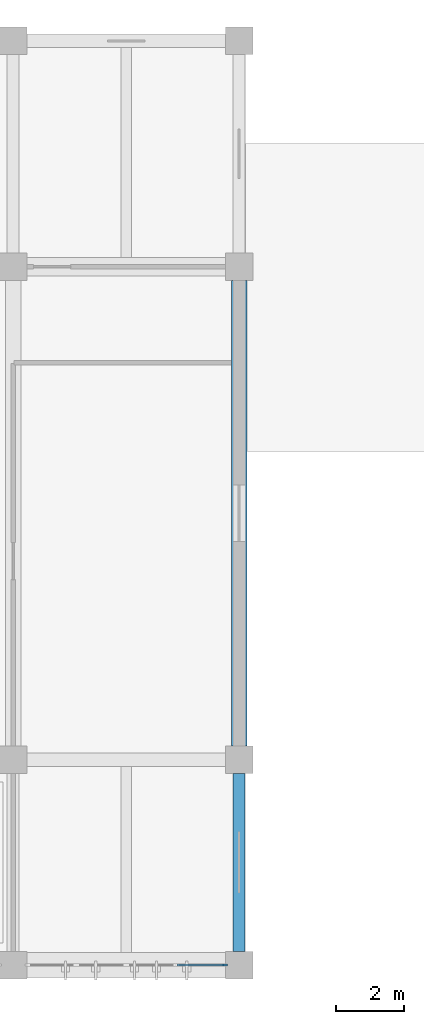
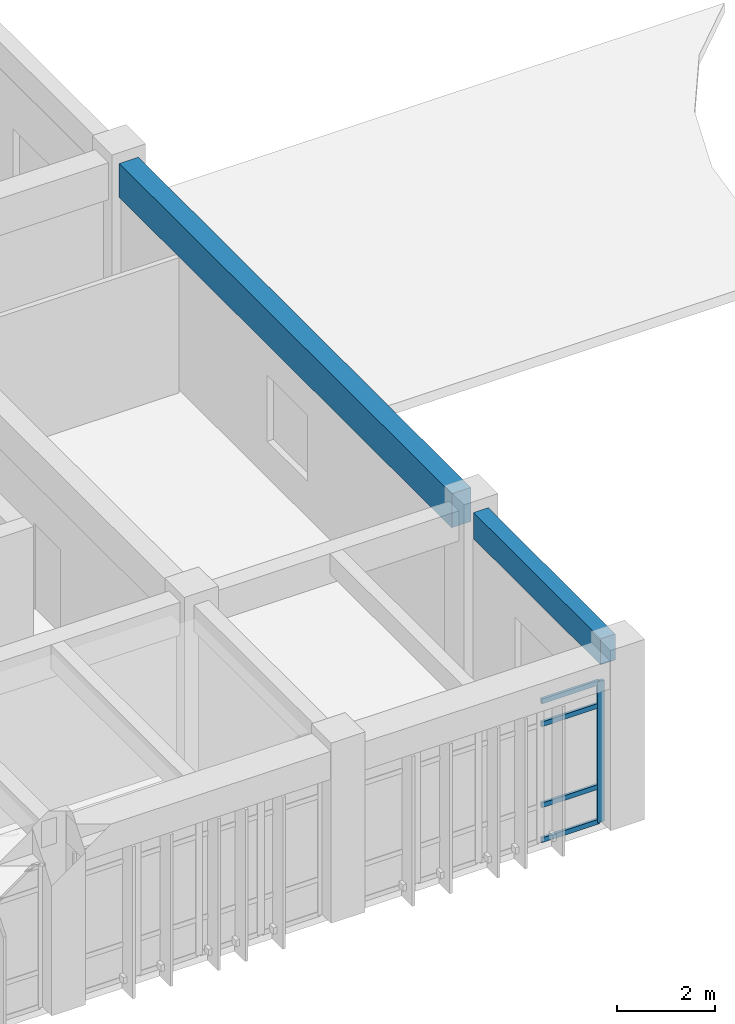
# One storey, part 7 of 34: 5 members, 2 beams, 1 element without a shape of its own.
"""IFC4 building model written with IfcOpenShell, lengths in metres."""

from ifc_helpers import new_model, si_unit, direction, frame, origin, origin_2d, place, context, subcontext, project, spatial, rectangle, extrude, material, layer, layer_set, material_profile, profile_set, type_object, element, aggregate, save


model = new_model("IFC4")

# Units and contexts
model_context = context("Model", 3, precision=1e-05, world=origin(), true_north=direction((0.0, 1.0)))
body_context = subcontext(model_context, "Body", "Model", "MODEL_VIEW")
ifc_project = project(units=[si_unit("LENGTHUNIT", "METRE"), si_unit("AREAUNIT", "SQUARE_METRE"), si_unit("VOLUMEUNIT", "CUBIC_METRE"), si_unit("PLANEANGLEUNIT", "RADIAN"), si_unit("MASSUNIT", "GRAM", prefix="KILO")], contexts=[model_context])

# Site, building, storey
site_placement = place(None, origin())
site = spatial("IfcSite", under=ifc_project, at=site_placement, CompositionType="ELEMENT")
building_placement = place(site_placement, origin())
building = spatial("IfcBuilding", under=site, at=building_placement, Name="Miralva Faculty of Natural Sciences", CompositionType="ELEMENT")
storey_placement = place(building_placement, frame((0.0, 0.0, 24.0)))
storey = spatial("IfcBuildingStorey", under=building, at=storey_placement, Name="L05", CompositionType="ELEMENT", Elevation=24.0)

# Beams
ifc_material_1 = material(Name="Concrete C40/50", Category="concrete")
ifc_material_profile_1 = material_profile(ifc_material_1, rectangle(XDim=0.449951171875, YDim=0.85009765625, at=origin_2d()), Name="RC 450x850")
ifc_profile_set_1 = profile_set([ifc_material_profile_1], Name="Concrete C40/50")
beam_type_1 = type_object("IfcBeamType", Name="BM-B01", PredefinedType="BEAM", material=ifc_profile_set_1)
beam_1_placement = place(storey_placement, frame((36.0, 9.39990234375, 3.804931640625), z_axis=(0.0, 1.0, 0.0), x_axis=(-1.0, 0.0, 0.0)))
element("IfcBeam", 1, at=beam_1_placement, inside=storey, type_object=beam_type_1, Name="Girder NS L05-62", PredefinedType="BEAM", context=body_context, shape_type="SweptSolid", body=[
    extrude(rectangle(XDim=0.449951171875, YDim=0.85009765625, at=origin_2d()), origin(), (0.0, 0.0, 1.0), 13.60009765625),
])
ifc_material_profile_2 = material_profile(ifc_material_1, rectangle(XDim=0.35009765625, YDim=0.64990234375, at=origin_2d()), Name="RC 350x650")
ifc_profile_set_2 = profile_set([ifc_material_profile_2], Name="Concrete C40/50")
beam_type_2 = type_object("IfcBeamType", Name="BM-B05", PredefinedType="BEAM", material=ifc_profile_set_2)
beam_2_placement = place(storey_placement, frame((36.0, 3.39990234375, 3.905029296875), z_axis=(0.0, 1.0, 0.0), x_axis=(-1.0, 0.0, 0.0)))
element("IfcBeam", 2, at=beam_2_placement, inside=storey, type_object=beam_type_2, Name="Girder NS L05-61", PredefinedType="BEAM", context=body_context, shape_type="SweptSolid", body=[
    extrude(rectangle(XDim=0.35009765625, YDim=0.64990234375, at=origin_2d()), origin(), (0.0, 0.0, 1.0), 5.2001953125),
])

# Curtain wall, members
ifc_material_2 = material(Name="Laminated solar-control glass", Category="glass")
ifc_layer = layer(ifc_material_2, 0.179931640625, Name="CW-TWR-L03")
ifc_layer_set = layer_set([ifc_layer], Name="Laminated solar-control glass")
curtain_wall_type = type_object("IfcCurtainWallType", Name="CW-TWR-L03", PredefinedType="USERDEFINED", material=ifc_layer_set)
curtain_wall_placement = place(storey_placement, origin())
curtain_wall = element("IfcCurtainWall", 3, at=curtain_wall_placement, inside=storey, type_object=curtain_wall_type, Name="Curtain wall CW-14 L05-237", ObjectType="UNITISED CURTAIN WALL", PredefinedType="USERDEFINED")
ifc_material_3 = material(Name="Anodised aluminium", Category="aluminium")
ifc_material_profile_3 = material_profile(ifc_material_3, rectangle(XDim=0.06494140625, YDim=0.159912109375, at=origin_2d()), Name="MULLION 65x160")
ifc_profile_set_3 = profile_set([ifc_material_profile_3], Name="Anodised aluminium")
member_type_1 = type_object("IfcMemberType", Name="CW-M02", PredefinedType="MULLION", material=ifc_profile_set_3)
member_1_placement = place(storey_placement, frame((35.58251953125, 3.0, 0.0), z_axis=(0.0, 0.0, 1.0), x_axis=(0.0, 1.0, 0.0)))
member_1 = element("IfcMember", 4, at=member_1_placement, type_object=member_type_1, Name="CW-14 mullion 5", PredefinedType="MULLION", context=body_context, shape_type="SweptSolid", body=[
    extrude(rectangle(XDim=0.06494140625, YDim=0.159912109375, at=origin_2d()), origin(), (0.0, 0.0, 1.0), 3.52490234375),
])
ifc_material_profile_4 = material_profile(ifc_material_3, rectangle(XDim=0.06005859375, YDim=0.1201171875, at=origin_2d()), Name="TRANSOM 60x120")
ifc_profile_set_4 = profile_set([ifc_material_profile_4], Name="Anodised aluminium")
member_type_2 = type_object("IfcMemberType", Name="CW-T02", PredefinedType="USERDEFINED", material=ifc_profile_set_4)
member_2_placement = place(storey_placement, frame((34.18994140625, 3.0, 0.030029296875), z_axis=(1.0, 0.0, 0.0), x_axis=(0.0, 1.0, 0.0)))
member_2 = element("IfcMember", 5, at=member_2_placement, type_object=member_type_2, Name="CW-14 transom 4.1", ObjectType="TRANSOM", PredefinedType="USERDEFINED", context=body_context, shape_type="SweptSolid", body=[
    extrude(rectangle(XDim=0.06005859375, YDim=0.1201171875, at=origin_2d()), origin(), (0.0, 0.0, 1.0), 1.360107421875),
])
member_3_placement = place(storey_placement, frame((34.18994140625, 3.0, 0.89990234375), z_axis=(1.0, 0.0, 0.0), x_axis=(0.0, 1.0, 0.0)))
member_3 = element("IfcMember", 6, at=member_3_placement, type_object=member_type_2, Name="CW-14 transom 4.2", ObjectType="TRANSOM", PredefinedType="USERDEFINED", context=body_context, shape_type="SweptSolid", body=[
    extrude(rectangle(XDim=0.06005859375, YDim=0.1201171875, at=origin_2d()), origin(), (0.0, 0.0, 1.0), 1.360107421875),
])
member_4_placement = place(storey_placement, frame((34.18994140625, 3.0, 2.925048828125), z_axis=(1.0, 0.0, 0.0), x_axis=(0.0, 1.0, 0.0)))
member_4 = element("IfcMember", 7, at=member_4_placement, type_object=member_type_2, Name="CW-14 transom 4.3", ObjectType="TRANSOM", PredefinedType="USERDEFINED", context=body_context, shape_type="SweptSolid", body=[
    extrude(rectangle(XDim=0.06005859375, YDim=0.1201171875, at=origin_2d()), origin(), (0.0, 0.0, 1.0), 1.360107421875),
])
member_5_placement = place(storey_placement, frame((34.18994140625, 3.0, 3.4951171875), z_axis=(1.0, 0.0, 0.0), x_axis=(0.0, 1.0, 0.0)))
member_5 = element("IfcMember", 8, at=member_5_placement, type_object=member_type_2, Name="CW-14 transom 4.4", ObjectType="TRANSOM", PredefinedType="USERDEFINED", context=body_context, shape_type="SweptSolid", body=[
    extrude(rectangle(XDim=0.06005859375, YDim=0.1201171875, at=origin_2d()), origin(), (0.0, 0.0, 1.0), 1.360107421875),
])
aggregate(curtain_wall, [member_1, member_2, member_3, member_4, member_5])

save(model, "model.ifc")
